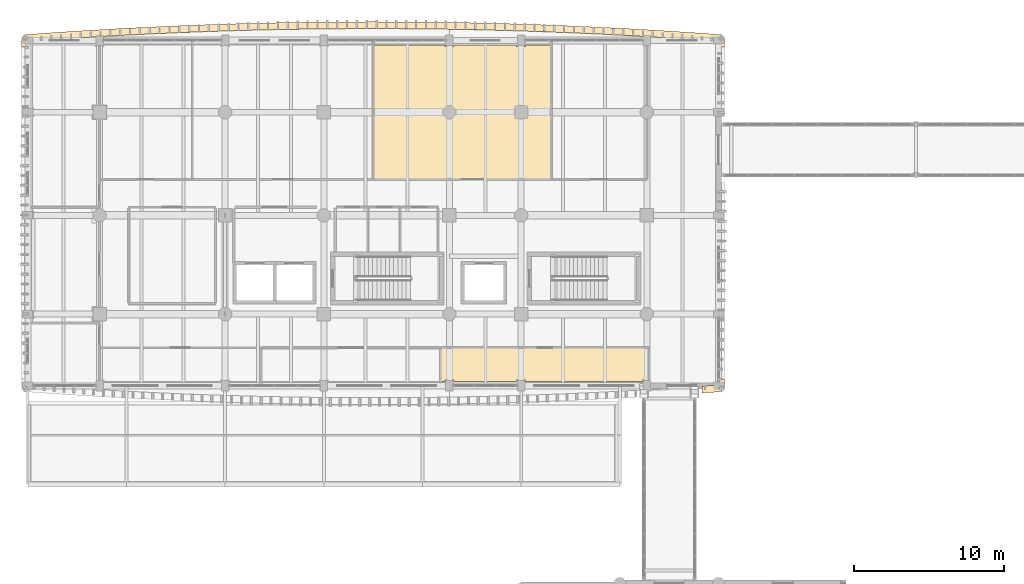
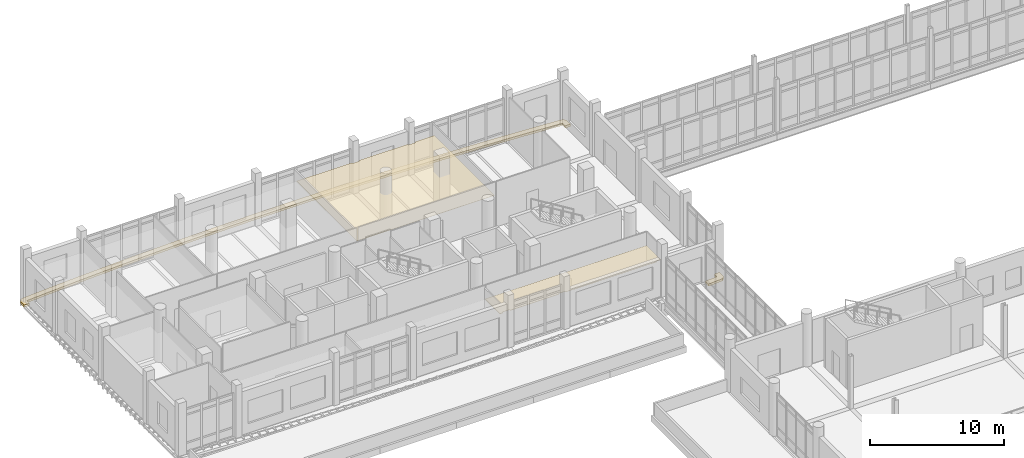
# One storey, part 111 of 125: 4 coverings.
"""IFC4 building model written with IfcOpenShell, lengths in metres."""

from ifc_helpers import new_model, si_unit, direction, frame, origin, place, context, subcontext, project, spatial, polyline, outline, extrude, material, layer, layer_set, type_object, element, save


model = new_model("IFC4")

# Units and contexts
model_context = context("Model", 3, precision=1e-05, world=origin(), true_north=direction((0.0, 1.0)))
body_context = subcontext(model_context, "Body", "Model", "MODEL_VIEW")
ifc_project = project(units=[si_unit("LENGTHUNIT", "METRE"), si_unit("AREAUNIT", "SQUARE_METRE"), si_unit("VOLUMEUNIT", "CUBIC_METRE"), si_unit("PLANEANGLEUNIT", "RADIAN"), si_unit("MASSUNIT", "GRAM", prefix="KILO")], contexts=[model_context])

# Site, building, storey
site_placement = place(None, origin())
site = spatial("IfcSite", under=ifc_project, at=site_placement, CompositionType="ELEMENT")
building_placement = place(site_placement, origin())
building = spatial("IfcBuilding", under=site, at=building_placement, Name="Dornvale Research Institute", CompositionType="ELEMENT")
storey_placement = place(building_placement, frame((0.0, 0.0, 5.39990234375)))
storey = spatial("IfcBuildingStorey", under=building, at=storey_placement, Name="L01", CompositionType="ELEMENT", Elevation=5.39990234375)

# Coverings
ifc_material_1 = material(Name="Mineral-Fibre Acoustic Lay-In Ceiling Tile System")
ifc_layer_1 = layer(ifc_material_1, 0.02001953125)
ifc_layer_set_1 = layer_set([ifc_layer_1], Name="Mineral-Fibre Acoustic Lay-In Ceiling Tile System")
covering_type_1 = type_object("IfcCoveringType", Name="Covering_Acoustic_Ceiling", PredefinedType="CEILING", material=ifc_layer_set_1)
covering_1_placement = place(storey_placement, frame((0.0, 0.0, 2.85009765625)))
element("IfcCovering", 1, at=covering_1_placement, inside=storey, type_object=covering_type_1, Name="L01 Bioinformatics Analysis Laboratory L01 suspended ceiling", PredefinedType="CEILING", context=body_context, shape_type="SweptSolid", body=[
    extrude(outline(polyline([(34.97998046875, 121.800048828125), (34.97998046875, 112.820068359375), (23.1201171875, 112.820068359375), (23.1201171875, 121.800048828125), (27.89990234375, 121.800048828125), (27.89990234375, 121.699951171875), (28.5, 121.699951171875), (28.5, 121.800048828125), (32.699951171875, 121.800048828125), (32.699951171875, 121.699951171875), (33.300048828125, 121.699951171875), (33.300048828125, 121.800048828125), (34.97998046875, 121.800048828125)])), origin(), (0.0, 0.0, 1.0), 0.02001953125),
])
covering_2_placement = place(storey_placement, frame((0.0, 0.0, 2.85009765625)))
element("IfcCovering", 2, at=covering_2_placement, inside=storey, type_object=covering_type_1, Name="L01 Principal Investigator Office L01-S suspended ceiling", PredefinedType="CEILING", context=body_context, shape_type="SweptSolid", body=[
    extrude(outline(polyline([(27.89990234375, 99.39990234375), (27.89990234375, 99.300048828125), (27.6201171875, 99.300048828125), (27.6201171875, 101.530029296875), (41.530029296875, 101.530029296875), (41.530029296875, 99.39990234375), (41.10009765625, 99.39990234375), (41.10009765625, 99.300048828125), (33.300048828125, 99.300048828125), (33.300048828125, 99.39990234375), (32.699951171875, 99.39990234375), (32.699951171875, 99.300048828125), (28.5, 99.300048828125), (28.5, 99.39990234375), (27.89990234375, 99.39990234375)])), origin(), (0.0, 0.0, 1.0), 0.02001953125),
])
ifc_material_2 = material(Name="Polychrome Glazed Terracotta Visor Rib Ceramic", Category="masonry")
ifc_layer_2 = layer(ifc_material_2, 0.199951171875)
ifc_layer_set_2 = layer_set([ifc_layer_2], Name="Polychrome Glazed Terracotta Visor Rib Ceramic")
covering_type_2 = type_object("IfcCoveringType", Name="Covering_VisorBrim_Shelf", PredefinedType="CLADDING", material=ifc_layer_set_2)
covering_3_placement = place(storey_placement, frame((0.0, 0.0, -0.27978515625)))
element("IfcCovering", 3, at=covering_3_placement, inside=storey, type_object=covering_type_2, Name="L01 V5 canted bowed-brim visor hood #2", PredefinedType="CLADDING", context=body_context, shape_type="SweptSolid", body=[
    extrude(outline(polyline([(46.4951171875, 98.72509765625), (46.373779296875, 98.63623046875), (46.228515625, 98.597900390625), (45.10009765625, 98.517578125), (45.10009765625, 98.982177734375), (46.139892578125, 99.055908203125), (46.139892578125, 99.449951171875), (46.603271484375, 99.449951171875), (46.603271484375, 99.0), (46.5751953125, 98.852294921875), (46.4951171875, 98.72509765625)])), origin(), (0.0, 0.0, 1.0), 0.199951171875),
])
covering_4_placement = place(storey_placement, frame((0.0, 0.0, -0.27978515625)))
element("IfcCovering", 4, at=covering_4_placement, inside=storey, type_object=covering_type_2, Name="L01 V5 canted bowed-brim visor hood #3", PredefinedType="CLADDING", context=body_context, shape_type="SweptSolid", body=[
    extrude(outline(polyline([(1.62158203125, 122.619384765625), (1.62353515625, 122.619384765625), (3.273681640625, 122.727783203125), (3.275634765625, 122.72802734375), (4.92578125, 122.827880859375), (4.927734375, 122.827880859375), (6.577880859375, 122.9189453125), (6.579833984375, 122.9189453125), (8.22998046875, 123.00146484375), (8.23193359375, 123.00146484375), (9.882080078125, 123.0751953125), (9.884033203125, 123.0751953125), (11.5341796875, 123.140380859375), (11.5361328125, 123.140380859375), (13.186279296875, 123.197021484375), (13.188232421875, 123.197021484375), (14.83837890625, 123.24462890625), (14.840576171875, 123.24462890625), (16.490478515625, 123.28369140625), (16.49267578125, 123.28369140625), (18.142578125, 123.314208984375), (18.144775390625, 123.314208984375), (19.794677734375, 123.3359375), (19.796875, 123.3359375), (21.44677734375, 123.348876953125), (21.448974609375, 123.348876953125), (23.098876953125, 123.353271484375), (23.10107421875, 123.353271484375), (24.751220703125, 123.348876953125), (24.753173828125, 123.348876953125), (26.4033203125, 123.3359375), (26.4052734375, 123.3359375), (28.055419921875, 123.314208984375), (28.057373046875, 123.314208984375), (29.70751953125, 123.28369140625), (29.70947265625, 123.28369140625), (31.359619140625, 123.24462890625), (31.36181640625, 123.24462890625), (33.01171875, 123.197021484375), (33.013916015625, 123.197021484375), (34.663818359375, 123.140380859375), (34.666015625, 123.140380859375), (36.31591796875, 123.0751953125), (36.318115234375, 123.0751953125), (37.968017578125, 123.00146484375), (37.97021484375, 123.00146484375), (39.6201171875, 122.9189453125), (39.622314453125, 122.9189453125), (41.272216796875, 122.827880859375), (41.2744140625, 122.827880859375), (42.92431640625, 122.72802734375), (42.926513671875, 122.727783203125), (44.576416015625, 122.619384765625), (44.57861328125, 122.619384765625), (46.228515625, 122.502197265625), (46.373779296875, 122.4638671875), (46.4951171875, 122.374755859375), (46.5751953125, 122.247802734375), (46.603271484375, 122.10009765625), (46.603271484375, 121.64990234375), (46.139892578125, 121.64990234375), (46.139892578125, 122.044189453125), (44.5458984375, 122.1572265625), (42.896240234375, 122.265625), (41.24658203125, 122.365478515625), (39.596923828125, 122.456298828125), (37.947265625, 122.538818359375), (36.297607421875, 122.612548828125), (34.647705078125, 122.677490234375), (32.998046875, 122.73388671875), (31.348388671875, 122.781494140625), (29.69873046875, 122.820556640625), (28.049072265625, 122.85107421875), (26.3994140625, 122.872802734375), (24.749755859375, 122.8857421875), (23.10009765625, 122.889892578125), (21.4501953125, 122.8857421875), (19.800537109375, 122.872802734375), (18.15087890625, 122.85107421875), (16.501220703125, 122.820556640625), (14.8515625, 122.781494140625), (13.201904296875, 122.73388671875), (11.55224609375, 122.677490234375), (9.902587890625, 122.612548828125), (8.252685546875, 122.538818359375), (6.60302734375, 122.456298828125), (4.95361328125, 122.365478515625), (3.3037109375, 122.265625), (1.654052734375, 122.1572265625), (0.06005859375, 122.044189453125), (0.06005859375, 121.64990234375), (-0.4033203125, 121.64990234375), (-0.4033203125, 122.10009765625), (-0.375244140625, 122.247802734375), (-0.294921875, 122.374755859375), (-0.173828125, 122.4638671875), (-0.028564453125, 122.502197265625), (1.62158203125, 122.619384765625)])), origin(), (0.0, 0.0, 1.0), 0.199951171875),
])

save(model, "model.ifc")
